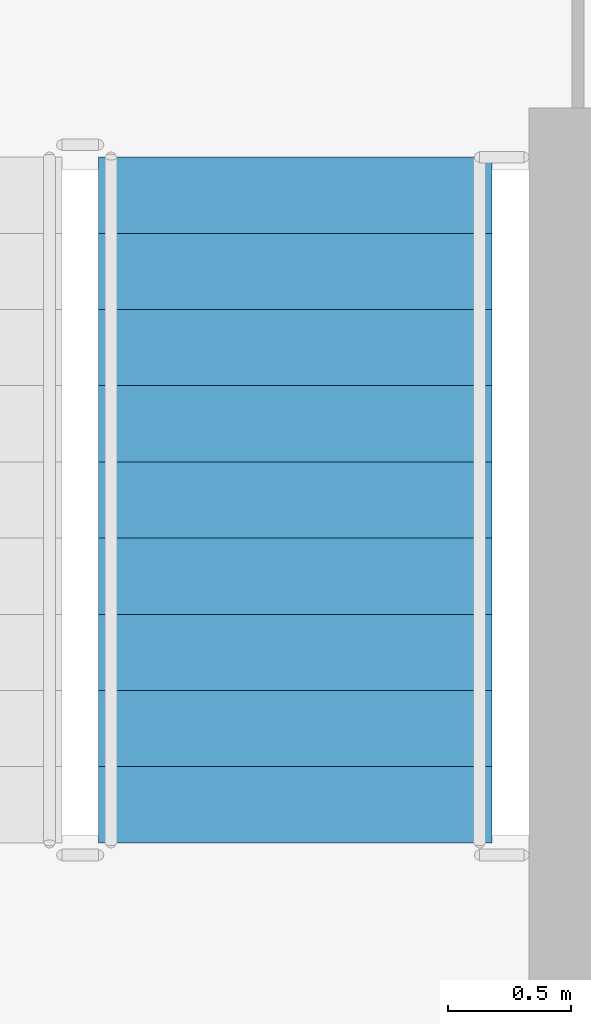
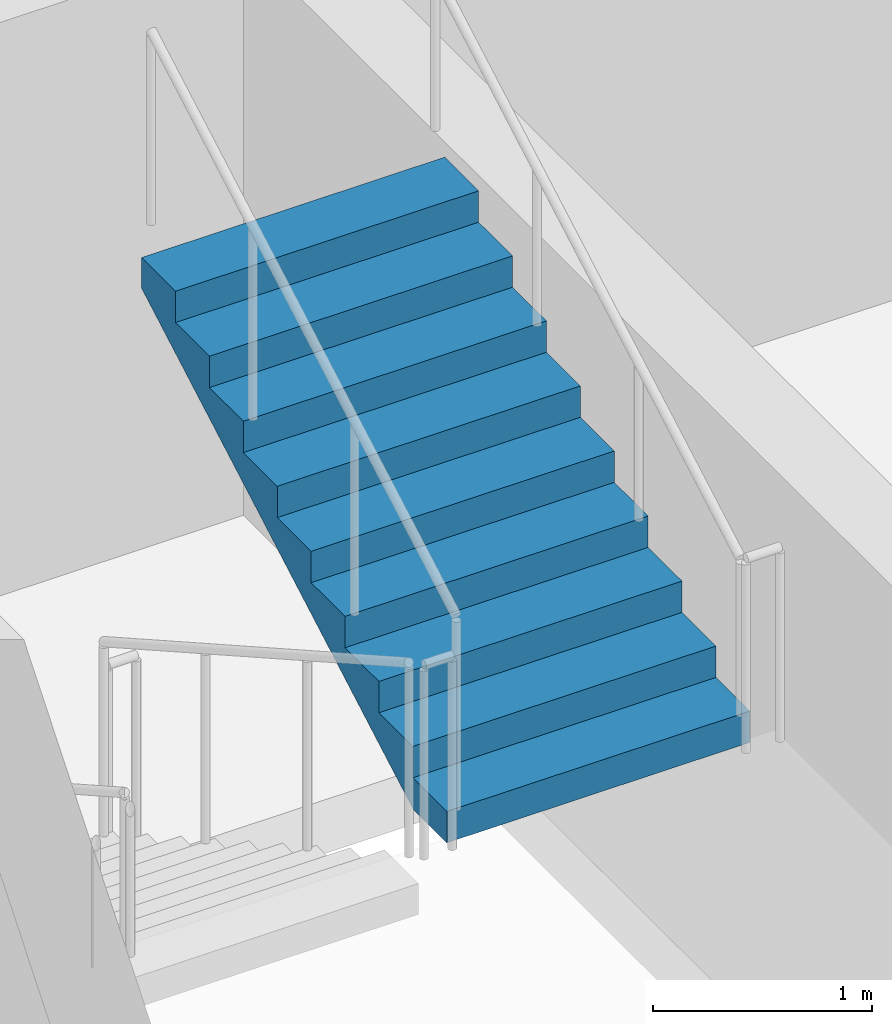
# One storey, part 16 of 22: 1 stair flight, 1 element without a shape of its own.
"""IFC4 building model written with IfcOpenShell, lengths in metres."""

from ifc_helpers import new_model, si_unit, direction, frame, origin, place, context, subcontext, project, spatial, polyline, outline, extrude, material, type_object, element, aggregate, save


model = new_model("IFC4")

# Units and contexts
model_context = context("Model", 3, precision=1e-05, world=origin(), true_north=direction((0.0, 1.0)))
body_context = subcontext(model_context, "Body", "Model", "MODEL_VIEW")
ifc_project = project(units=[si_unit("LENGTHUNIT", "METRE"), si_unit("AREAUNIT", "SQUARE_METRE"), si_unit("VOLUMEUNIT", "CUBIC_METRE"), si_unit("PLANEANGLEUNIT", "RADIAN"), si_unit("MASSUNIT", "GRAM", prefix="KILO")], contexts=[model_context])

# Site, building, storey
site_placement = place(None, origin())
site = spatial("IfcSite", under=ifc_project, at=site_placement, CompositionType="ELEMENT")
building_placement = place(site_placement, origin())
building = spatial("IfcBuilding", under=site, at=building_placement, Name="Madar Terraces", CompositionType="ELEMENT")
storey_placement = place(building_placement, frame((0.0, 0.0, 279.10009765625)))
storey = spatial("IfcBuildingStorey", under=building, at=storey_placement, Name="L73", CompositionType="ELEMENT", Elevation=279.10009765625)

# Stair, stair flight
ifc_material_1 = material(Name="Concrete C50/60", Category="concrete")
stair_type = type_object("IfcStairType", Name="Stair ST2 protected exit", PredefinedType="HALF_TURN_STAIR", material=ifc_material_1)
stair_placement = place(storey_placement, origin())
stair = element("IfcStair", 1, at=stair_placement, inside=storey, type_object=stair_type, Name="L73 Protected Exit Stair ST2", PredefinedType="HALF_TURN_STAIR")
ifc_material_2 = material(Name="Concrete C50/60", Category="concrete")
stair_flight_type = type_object("IfcStairFlightType", Name="Stair flight ST2-F4, 1600 wide, 10 risers", PredefinedType="STRAIGHT", material=ifc_material_2)
stair_flight_placement = place(storey_placement, frame((42.199951171875, 32.409912109375, 1.75), z_axis=(0.0, 0.0, 1.0), x_axis=(0.0, 1.0, 0.0)))
stair_flight = element("IfcStairFlight", 2, at=stair_flight_placement, type_object=stair_flight_type, Name="ST2 flight 2", NumberOfRisers=10, NumberOfTreads=9, PredefinedType="STRAIGHT", RiserHeight=0.175, TreadLength=0.31, context=body_context, shape_type="SweptSolid", body=[
    extrude(outline(polyline([(0.0, 0.0), (0.0, 0.175048828125), (0.31005859375, 0.175048828125), (0.31005859375, 0.35009765625), (0.6201171875, 0.35009765625), (0.6201171875, 0.52490234375), (0.929931640625, 0.52490234375), (0.929931640625, 0.699951171875), (1.239990234375, 0.699951171875), (1.239990234375, 0.875), (1.550048828125, 0.875), (1.550048828125, 1.050048828125), (1.860107421875, 1.050048828125), (1.860107421875, 1.22509765625), (2.169921875, 1.22509765625), (2.169921875, 1.39990234375), (2.47998046875, 1.39990234375), (2.47998046875, 1.574951171875), (2.7900390625, 1.574951171875), (2.7900390625, 1.75), (2.7900390625, 1.40283203125), (0.304931640625, 0.0), (0.0, 0.0)])), frame((0.0, 0.800048828125, 0.0), z_axis=(0.0, -1.0, 0.0), x_axis=(1.0, 0.0, 0.0)), (0.0, 0.0, 1.0), 1.60009765625),
])
aggregate(stair, [stair_flight])

save(model, "model.ifc")
